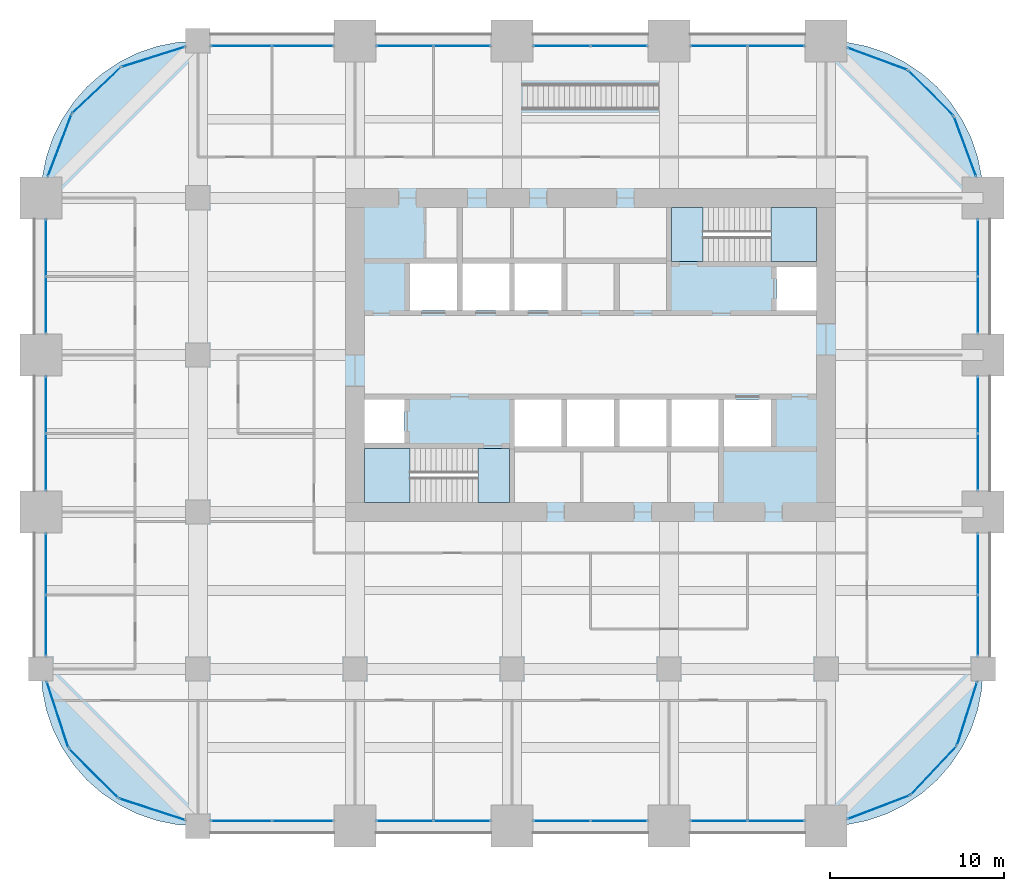
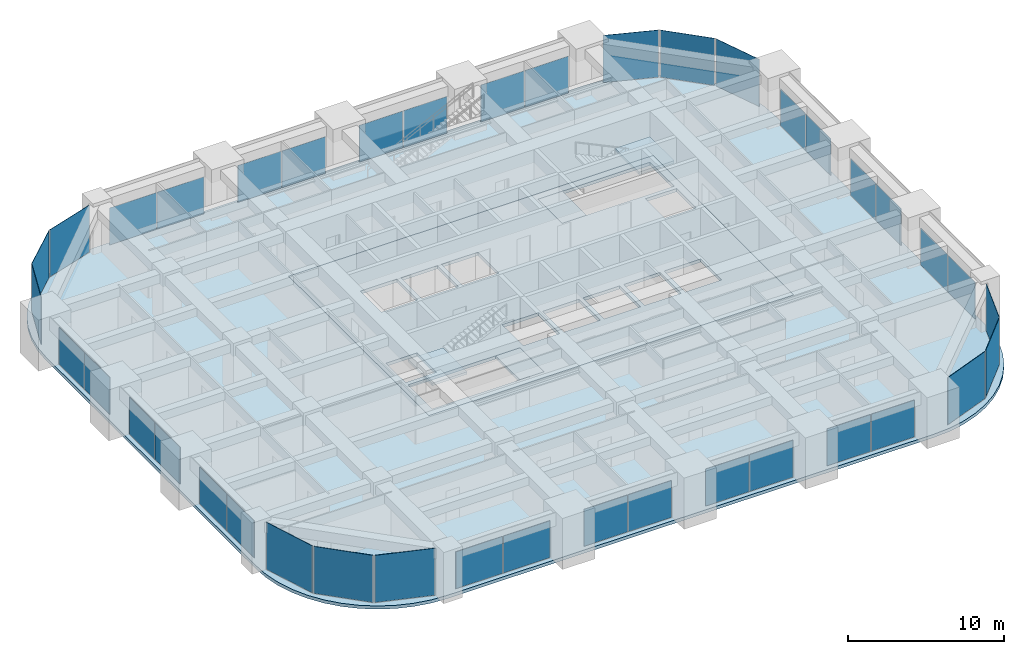
# One storey, part 28 of 34: 40 plates, 6 slabs, 28 elements without a shape of their own.
"""IFC4 building model written with IfcOpenShell, lengths in metres."""

from ifc_helpers import new_model, si_unit, direction, frame, origin, origin_2d, place, context, subcontext, project, spatial, polyline, rectangle, outline, extrude, material, layer, layer_set, type_object, element, aggregate, save


model = new_model("IFC4")

# Units and contexts
model_context = context("Model", 3, precision=1e-05, world=origin(), true_north=direction((0.0, 1.0)))
body_context = subcontext(model_context, "Body", "Model", "MODEL_VIEW")
ifc_project = project(units=[si_unit("LENGTHUNIT", "METRE"), si_unit("AREAUNIT", "SQUARE_METRE"), si_unit("VOLUMEUNIT", "CUBIC_METRE"), si_unit("PLANEANGLEUNIT", "RADIAN"), si_unit("MASSUNIT", "GRAM", prefix="KILO")], contexts=[model_context])

# Site, building, storey
site_placement = place(None, origin())
site = spatial("IfcSite", under=ifc_project, at=site_placement, CompositionType="ELEMENT")
building_placement = place(site_placement, origin())
building = spatial("IfcBuilding", under=site, at=building_placement, Name="Zorevar Civic Tower", CompositionType="ELEMENT")
storey_placement = place(building_placement, frame((0.0, 0.0, 214.199951171875)))
storey = spatial("IfcBuildingStorey", under=building, at=storey_placement, Name="L52", CompositionType="ELEMENT", Elevation=214.199951171875)

# Curtain wall, plates
ifc_material_1 = material(Name="Dark grey solar-control glass in black aluminium frame", Category="aluminium")
curtain_wall_type = type_object("IfcCurtainWallType", Name="Curtain wall CW4 high zone", PredefinedType="NOTDEFINED", material=ifc_material_1)
curtain_wall_1_placement = place(storey_placement, origin())
curtain_wall_1 = element("IfcCurtainWall", 1, at=curtain_wall_1_placement, inside=storey, type_object=curtain_wall_type, Name="CW4 L52", PredefinedType="NOTDEFINED")
ifc_material_2 = material(Name="Dark grey solar-control glass", Category="glass")
ifc_layer_1 = layer(ifc_material_2, 0.028076171875)
ifc_layer_set_1 = layer_set([ifc_layer_1], Name="CW4 panel 28")
plate_type = type_object("IfcPlateType", Name="CW4 panel 28", PredefinedType="CURTAIN_PANEL", material=ifc_layer_set_1)
plate_1_placement = place(storey_placement, frame((11.489990234375, 0.300048828125, 0.06005859375), z_axis=(0.0, 0.0, 1.0), x_axis=(1.0, 0.0, 0.0)))
plate_1 = element("IfcPlate", 2, at=plate_1_placement, type_object=plate_type, Name="CW4 panel 1.1", PredefinedType="CURTAIN_PANEL", context=body_context, shape_type="SweptSolid", body=[
    extrude(rectangle(XDim=3.4599609375, YDim=0.028076171875, at=origin_2d()), origin(), (0.0, 0.0, 1.0), 2.889892578125),
])
plate_2_placement = place(storey_placement, frame((15.010009765625, 0.300048828125, 0.06005859375), z_axis=(0.0, 0.0, 1.0), x_axis=(1.0, 0.0, 0.0)))
plate_2 = element("IfcPlate", 3, at=plate_2_placement, type_object=plate_type, Name="CW4 panel 2.1", PredefinedType="CURTAIN_PANEL", context=body_context, shape_type="SweptSolid", body=[
    extrude(rectangle(XDim=3.4599609375, YDim=0.028076171875, at=origin_2d()), origin(), (0.0, 0.0, 1.0), 2.889892578125),
])
aggregate(curtain_wall_1, [plate_1, plate_2])

curtain_wall_2_placement = place(storey_placement, origin())
curtain_wall_2 = element("IfcCurtainWall", 4, at=curtain_wall_2_placement, inside=storey, type_object=curtain_wall_type, Name="CW4 L52", PredefinedType="NOTDEFINED")
plate_3_placement = place(storey_placement, frame((11.489990234375, 44.699951171875, 0.06005859375), z_axis=(0.0, 0.0, 1.0), x_axis=(1.0, 0.0, 0.0)))
plate_3 = element("IfcPlate", 5, at=plate_3_placement, type_object=plate_type, Name="CW4 panel 1.1", PredefinedType="CURTAIN_PANEL", context=body_context, shape_type="SweptSolid", body=[
    extrude(rectangle(XDim=3.4599609375, YDim=0.028076171875, at=origin_2d()), origin(), (0.0, 0.0, 1.0), 2.889892578125),
])
plate_4_placement = place(storey_placement, frame((15.010009765625, 44.699951171875, 0.06005859375), z_axis=(0.0, 0.0, 1.0), x_axis=(1.0, 0.0, 0.0)))
plate_4 = element("IfcPlate", 6, at=plate_4_placement, type_object=plate_type, Name="CW4 panel 2.1", PredefinedType="CURTAIN_PANEL", context=body_context, shape_type="SweptSolid", body=[
    extrude(rectangle(XDim=3.4599609375, YDim=0.028076171875, at=origin_2d()), origin(), (0.0, 0.0, 1.0), 2.889892578125),
])
aggregate(curtain_wall_2, [plate_3, plate_4])

curtain_wall_3_placement = place(storey_placement, origin())
curtain_wall_3 = element("IfcCurtainWall", 7, at=curtain_wall_3_placement, inside=storey, type_object=curtain_wall_type, Name="CW4 L52", PredefinedType="NOTDEFINED")
plate_5_placement = place(storey_placement, frame((20.864990234375, 0.300048828125, 0.06005859375), z_axis=(0.0, 0.0, 1.0), x_axis=(1.0, 0.0, 0.0)))
plate_5 = element("IfcPlate", 8, at=plate_5_placement, type_object=plate_type, Name="CW4 panel 1.1", PredefinedType="CURTAIN_PANEL", context=body_context, shape_type="SweptSolid", body=[
    extrude(rectangle(XDim=3.2099609375, YDim=0.028076171875, at=origin_2d()), origin(), (0.0, 0.0, 1.0), 2.889892578125),
])
plate_6_placement = place(storey_placement, frame((24.135009765625, 0.300048828125, 0.06005859375), z_axis=(0.0, 0.0, 1.0), x_axis=(1.0, 0.0, 0.0)))
plate_6 = element("IfcPlate", 9, at=plate_6_placement, type_object=plate_type, Name="CW4 panel 2.1", PredefinedType="CURTAIN_PANEL", context=body_context, shape_type="SweptSolid", body=[
    extrude(rectangle(XDim=3.2099609375, YDim=0.028076171875, at=origin_2d()), origin(), (0.0, 0.0, 1.0), 2.889892578125),
])
aggregate(curtain_wall_3, [plate_5, plate_6])

curtain_wall_4_placement = place(storey_placement, origin())
curtain_wall_4 = element("IfcCurtainWall", 10, at=curtain_wall_4_placement, inside=storey, type_object=curtain_wall_type, Name="CW4 L52", PredefinedType="NOTDEFINED")
plate_7_placement = place(storey_placement, frame((20.864990234375, 44.699951171875, 0.06005859375), z_axis=(0.0, 0.0, 1.0), x_axis=(1.0, 0.0, 0.0)))
plate_7 = element("IfcPlate", 11, at=plate_7_placement, type_object=plate_type, Name="CW4 panel 1.1", PredefinedType="CURTAIN_PANEL", context=body_context, shape_type="SweptSolid", body=[
    extrude(rectangle(XDim=3.2099609375, YDim=0.028076171875, at=origin_2d()), origin(), (0.0, 0.0, 1.0), 2.889892578125),
])
plate_8_placement = place(storey_placement, frame((24.135009765625, 44.699951171875, 0.06005859375), z_axis=(0.0, 0.0, 1.0), x_axis=(1.0, 0.0, 0.0)))
plate_8 = element("IfcPlate", 12, at=plate_8_placement, type_object=plate_type, Name="CW4 panel 2.1", PredefinedType="CURTAIN_PANEL", context=body_context, shape_type="SweptSolid", body=[
    extrude(rectangle(XDim=3.2099609375, YDim=0.028076171875, at=origin_2d()), origin(), (0.0, 0.0, 1.0), 2.889892578125),
])
aggregate(curtain_wall_4, [plate_7, plate_8])

curtain_wall_5_placement = place(storey_placement, origin())
curtain_wall_5 = element("IfcCurtainWall", 13, at=curtain_wall_5_placement, inside=storey, type_object=curtain_wall_type, Name="CW4 L52", PredefinedType="NOTDEFINED")
plate_9_placement = place(storey_placement, frame((29.864990234375, 0.300048828125, 0.06005859375), z_axis=(0.0, 0.0, 1.0), x_axis=(1.0, 0.0, 0.0)))
plate_9 = element("IfcPlate", 14, at=plate_9_placement, type_object=plate_type, Name="CW4 panel 1.1", PredefinedType="CURTAIN_PANEL", context=body_context, shape_type="SweptSolid", body=[
    extrude(rectangle(XDim=3.2099609375, YDim=0.028076171875, at=origin_2d()), origin(), (0.0, 0.0, 1.0), 2.889892578125),
])
plate_10_placement = place(storey_placement, frame((33.135009765625, 0.300048828125, 0.06005859375), z_axis=(0.0, 0.0, 1.0), x_axis=(1.0, 0.0, 0.0)))
plate_10 = element("IfcPlate", 15, at=plate_10_placement, type_object=plate_type, Name="CW4 panel 2.1", PredefinedType="CURTAIN_PANEL", context=body_context, shape_type="SweptSolid", body=[
    extrude(rectangle(XDim=3.2099609375, YDim=0.028076171875, at=origin_2d()), origin(), (0.0, 0.0, 1.0), 2.889892578125),
])
aggregate(curtain_wall_5, [plate_9, plate_10])

curtain_wall_6_placement = place(storey_placement, origin())
curtain_wall_6 = element("IfcCurtainWall", 16, at=curtain_wall_6_placement, inside=storey, type_object=curtain_wall_type, Name="CW4 L52", PredefinedType="NOTDEFINED")
plate_11_placement = place(storey_placement, frame((29.864990234375, 44.699951171875, 0.06005859375), z_axis=(0.0, 0.0, 1.0), x_axis=(1.0, 0.0, 0.0)))
plate_11 = element("IfcPlate", 17, at=plate_11_placement, type_object=plate_type, Name="CW4 panel 1.1", PredefinedType="CURTAIN_PANEL", context=body_context, shape_type="SweptSolid", body=[
    extrude(rectangle(XDim=3.2099609375, YDim=0.028076171875, at=origin_2d()), origin(), (0.0, 0.0, 1.0), 2.889892578125),
])
plate_12_placement = place(storey_placement, frame((33.135009765625, 44.699951171875, 0.06005859375), z_axis=(0.0, 0.0, 1.0), x_axis=(1.0, 0.0, 0.0)))
plate_12 = element("IfcPlate", 18, at=plate_12_placement, type_object=plate_type, Name="CW4 panel 2.1", PredefinedType="CURTAIN_PANEL", context=body_context, shape_type="SweptSolid", body=[
    extrude(rectangle(XDim=3.2099609375, YDim=0.028076171875, at=origin_2d()), origin(), (0.0, 0.0, 1.0), 2.889892578125),
])
aggregate(curtain_wall_6, [plate_11, plate_12])

curtain_wall_7_placement = place(storey_placement, origin())
curtain_wall_7 = element("IfcCurtainWall", 19, at=curtain_wall_7_placement, inside=storey, type_object=curtain_wall_type, Name="CW4 L52", PredefinedType="NOTDEFINED")
plate_13_placement = place(storey_placement, frame((38.864990234375, 0.300048828125, 0.06005859375), z_axis=(0.0, 0.0, 1.0), x_axis=(1.0, 0.0, 0.0)))
plate_13 = element("IfcPlate", 20, at=plate_13_placement, type_object=plate_type, Name="CW4 panel 1.1", PredefinedType="CURTAIN_PANEL", context=body_context, shape_type="SweptSolid", body=[
    extrude(rectangle(XDim=3.2099609375, YDim=0.028076171875, at=origin_2d()), origin(), (0.0, 0.0, 1.0), 2.889892578125),
])
plate_14_placement = place(storey_placement, frame((42.135009765625, 0.300048828125, 0.06005859375), z_axis=(0.0, 0.0, 1.0), x_axis=(1.0, 0.0, 0.0)))
plate_14 = element("IfcPlate", 21, at=plate_14_placement, type_object=plate_type, Name="CW4 panel 2.1", PredefinedType="CURTAIN_PANEL", context=body_context, shape_type="SweptSolid", body=[
    extrude(rectangle(XDim=3.2099609375, YDim=0.028076171875, at=origin_2d()), origin(), (0.0, 0.0, 1.0), 2.889892578125),
])
aggregate(curtain_wall_7, [plate_13, plate_14])

curtain_wall_8_placement = place(storey_placement, origin())
curtain_wall_8 = element("IfcCurtainWall", 22, at=curtain_wall_8_placement, inside=storey, type_object=curtain_wall_type, Name="CW4 L52", PredefinedType="NOTDEFINED")
plate_15_placement = place(storey_placement, frame((38.864990234375, 44.699951171875, 0.06005859375), z_axis=(0.0, 0.0, 1.0), x_axis=(1.0, 0.0, 0.0)))
plate_15 = element("IfcPlate", 23, at=plate_15_placement, type_object=plate_type, Name="CW4 panel 1.1", PredefinedType="CURTAIN_PANEL", context=body_context, shape_type="SweptSolid", body=[
    extrude(rectangle(XDim=3.2099609375, YDim=0.028076171875, at=origin_2d()), origin(), (0.0, 0.0, 1.0), 2.889892578125),
])
plate_16_placement = place(storey_placement, frame((42.135009765625, 44.699951171875, 0.06005859375), z_axis=(0.0, 0.0, 1.0), x_axis=(1.0, 0.0, 0.0)))
plate_16 = element("IfcPlate", 24, at=plate_16_placement, type_object=plate_type, Name="CW4 panel 2.1", PredefinedType="CURTAIN_PANEL", context=body_context, shape_type="SweptSolid", body=[
    extrude(rectangle(XDim=3.2099609375, YDim=0.028076171875, at=origin_2d()), origin(), (0.0, 0.0, 1.0), 2.889892578125),
])
aggregate(curtain_wall_8, [plate_15, plate_16])

curtain_wall_9_placement = place(storey_placement, origin())
curtain_wall_9 = element("IfcCurtainWall", 25, at=curtain_wall_9_placement, inside=storey, type_object=curtain_wall_type, Name="CW4 L52", PredefinedType="NOTDEFINED")
plate_17_placement = place(storey_placement, frame((0.300048828125, 11.489990234375, 0.06005859375), z_axis=(0.0, 0.0, 1.0), x_axis=(0.0, 1.0, 0.0)))
plate_17 = element("IfcPlate", 26, at=plate_17_placement, type_object=plate_type, Name="CW4 panel 1.1", PredefinedType="CURTAIN_PANEL", context=body_context, shape_type="SweptSolid", body=[
    extrude(rectangle(XDim=3.4599609375, YDim=0.028076171875, at=origin_2d()), origin(), (0.0, 0.0, 1.0), 2.889892578125),
])
plate_18_placement = place(storey_placement, frame((0.300048828125, 15.010009765625, 0.06005859375), z_axis=(0.0, 0.0, 1.0), x_axis=(0.0, 1.0, 0.0)))
plate_18 = element("IfcPlate", 27, at=plate_18_placement, type_object=plate_type, Name="CW4 panel 2.1", PredefinedType="CURTAIN_PANEL", context=body_context, shape_type="SweptSolid", body=[
    extrude(rectangle(XDim=3.4599609375, YDim=0.028076171875, at=origin_2d()), origin(), (0.0, 0.0, 1.0), 2.889892578125),
])
aggregate(curtain_wall_9, [plate_17, plate_18])

curtain_wall_10_placement = place(storey_placement, origin())
curtain_wall_10 = element("IfcCurtainWall", 28, at=curtain_wall_10_placement, inside=storey, type_object=curtain_wall_type, Name="CW4 L52", PredefinedType="NOTDEFINED")
plate_19_placement = place(storey_placement, frame((53.699951171875, 11.489990234375, 0.06005859375), z_axis=(0.0, 0.0, 1.0), x_axis=(0.0, 1.0, 0.0)))
plate_19 = element("IfcPlate", 29, at=plate_19_placement, type_object=plate_type, Name="CW4 panel 1.1", PredefinedType="CURTAIN_PANEL", context=body_context, shape_type="SweptSolid", body=[
    extrude(rectangle(XDim=3.4599609375, YDim=0.028076171875, at=origin_2d()), origin(), (0.0, 0.0, 1.0), 2.889892578125),
])
plate_20_placement = place(storey_placement, frame((53.699951171875, 15.010009765625, 0.06005859375), z_axis=(0.0, 0.0, 1.0), x_axis=(0.0, 1.0, 0.0)))
plate_20 = element("IfcPlate", 30, at=plate_20_placement, type_object=plate_type, Name="CW4 panel 2.1", PredefinedType="CURTAIN_PANEL", context=body_context, shape_type="SweptSolid", body=[
    extrude(rectangle(XDim=3.4599609375, YDim=0.028076171875, at=origin_2d()), origin(), (0.0, 0.0, 1.0), 2.889892578125),
])
aggregate(curtain_wall_10, [plate_19, plate_20])

curtain_wall_11_placement = place(storey_placement, origin())
curtain_wall_11 = element("IfcCurtainWall", 31, at=curtain_wall_11_placement, inside=storey, type_object=curtain_wall_type, Name="CW4 L52", PredefinedType="NOTDEFINED")
plate_21_placement = place(storey_placement, frame((0.300048828125, 20.864990234375, 0.06005859375), z_axis=(0.0, 0.0, 1.0), x_axis=(0.0, 1.0, 0.0)))
plate_21 = element("IfcPlate", 32, at=plate_21_placement, type_object=plate_type, Name="CW4 panel 1.1", PredefinedType="CURTAIN_PANEL", context=body_context, shape_type="SweptSolid", body=[
    extrude(rectangle(XDim=3.2099609375, YDim=0.028076171875, at=origin_2d()), origin(), (0.0, 0.0, 1.0), 2.889892578125),
])
plate_22_placement = place(storey_placement, frame((0.300048828125, 24.135009765625, 0.06005859375), z_axis=(0.0, 0.0, 1.0), x_axis=(0.0, 1.0, 0.0)))
plate_22 = element("IfcPlate", 33, at=plate_22_placement, type_object=plate_type, Name="CW4 panel 2.1", PredefinedType="CURTAIN_PANEL", context=body_context, shape_type="SweptSolid", body=[
    extrude(rectangle(XDim=3.2099609375, YDim=0.028076171875, at=origin_2d()), origin(), (0.0, 0.0, 1.0), 2.889892578125),
])
aggregate(curtain_wall_11, [plate_21, plate_22])

curtain_wall_12_placement = place(storey_placement, origin())
curtain_wall_12 = element("IfcCurtainWall", 34, at=curtain_wall_12_placement, inside=storey, type_object=curtain_wall_type, Name="CW4 L52", PredefinedType="NOTDEFINED")
plate_23_placement = place(storey_placement, frame((53.699951171875, 20.864990234375, 0.06005859375), z_axis=(0.0, 0.0, 1.0), x_axis=(0.0, 1.0, 0.0)))
plate_23 = element("IfcPlate", 35, at=plate_23_placement, type_object=plate_type, Name="CW4 panel 1.1", PredefinedType="CURTAIN_PANEL", context=body_context, shape_type="SweptSolid", body=[
    extrude(rectangle(XDim=3.2099609375, YDim=0.028076171875, at=origin_2d()), origin(), (0.0, 0.0, 1.0), 2.889892578125),
])
plate_24_placement = place(storey_placement, frame((53.699951171875, 24.135009765625, 0.06005859375), z_axis=(0.0, 0.0, 1.0), x_axis=(0.0, 1.0, 0.0)))
plate_24 = element("IfcPlate", 36, at=plate_24_placement, type_object=plate_type, Name="CW4 panel 2.1", PredefinedType="CURTAIN_PANEL", context=body_context, shape_type="SweptSolid", body=[
    extrude(rectangle(XDim=3.2099609375, YDim=0.028076171875, at=origin_2d()), origin(), (0.0, 0.0, 1.0), 2.889892578125),
])
aggregate(curtain_wall_12, [plate_23, plate_24])

curtain_wall_13_placement = place(storey_placement, origin())
curtain_wall_13 = element("IfcCurtainWall", 37, at=curtain_wall_13_placement, inside=storey, type_object=curtain_wall_type, Name="CW4 L52", PredefinedType="NOTDEFINED")
plate_25_placement = place(storey_placement, frame((0.300048828125, 29.864990234375, 0.06005859375), z_axis=(0.0, 0.0, 1.0), x_axis=(0.0, 1.0, 0.0)))
plate_25 = element("IfcPlate", 38, at=plate_25_placement, type_object=plate_type, Name="CW4 panel 1.1", PredefinedType="CURTAIN_PANEL", context=body_context, shape_type="SweptSolid", body=[
    extrude(rectangle(XDim=3.2099609375, YDim=0.028076171875, at=origin_2d()), origin(), (0.0, 0.0, 1.0), 2.889892578125),
])
plate_26_placement = place(storey_placement, frame((0.300048828125, 33.135009765625, 0.06005859375), z_axis=(0.0, 0.0, 1.0), x_axis=(0.0, 1.0, 0.0)))
plate_26 = element("IfcPlate", 39, at=plate_26_placement, type_object=plate_type, Name="CW4 panel 2.1", PredefinedType="CURTAIN_PANEL", context=body_context, shape_type="SweptSolid", body=[
    extrude(rectangle(XDim=3.2099609375, YDim=0.028076171875, at=origin_2d()), origin(), (0.0, 0.0, 1.0), 2.889892578125),
])
aggregate(curtain_wall_13, [plate_25, plate_26])

curtain_wall_14_placement = place(storey_placement, origin())
curtain_wall_14 = element("IfcCurtainWall", 40, at=curtain_wall_14_placement, inside=storey, type_object=curtain_wall_type, Name="CW4 L52", PredefinedType="NOTDEFINED")
plate_27_placement = place(storey_placement, frame((53.699951171875, 29.864990234375, 0.06005859375), z_axis=(0.0, 0.0, 1.0), x_axis=(0.0, 1.0, 0.0)))
plate_27 = element("IfcPlate", 41, at=plate_27_placement, type_object=plate_type, Name="CW4 panel 1.1", PredefinedType="CURTAIN_PANEL", context=body_context, shape_type="SweptSolid", body=[
    extrude(rectangle(XDim=3.2099609375, YDim=0.028076171875, at=origin_2d()), origin(), (0.0, 0.0, 1.0), 2.889892578125),
])
plate_28_placement = place(storey_placement, frame((53.699951171875, 33.135009765625, 0.06005859375), z_axis=(0.0, 0.0, 1.0), x_axis=(0.0, 1.0, 0.0)))
plate_28 = element("IfcPlate", 42, at=plate_28_placement, type_object=plate_type, Name="CW4 panel 2.1", PredefinedType="CURTAIN_PANEL", context=body_context, shape_type="SweptSolid", body=[
    extrude(rectangle(XDim=3.2099609375, YDim=0.028076171875, at=origin_2d()), origin(), (0.0, 0.0, 1.0), 2.889892578125),
])
aggregate(curtain_wall_14, [plate_27, plate_28])

# Curtain wall, plate
curtain_wall_15_placement = place(storey_placement, origin())
curtain_wall_15 = element("IfcCurtainWall", 43, at=curtain_wall_15_placement, inside=storey, type_object=curtain_wall_type, Name="CW4 L52", PredefinedType="NOTDEFINED")
plate_29_placement = place(storey_placement, frame((48.0166015625, 1.07470703125, 0.06005859375), z_axis=(0.0, 0.0, 1.0), x_axis=(0.93458842801, 0.355730895803, 0.0)))
plate_29 = element("IfcPlate", 44, at=plate_29_placement, type_object=plate_type, Name="CW4 panel 1.1", PredefinedType="CURTAIN_PANEL", context=body_context, shape_type="SweptSolid", body=[
    extrude(rectangle(XDim=3.767333984375, YDim=0.028076171875, at=origin_2d()), origin(), (0.0, 0.0, 1.0), 3.68994140625),
])
aggregate(curtain_wall_15, [plate_29])

curtain_wall_16_placement = place(storey_placement, origin())
curtain_wall_16 = element("IfcCurtainWall", 45, at=curtain_wall_16_placement, inside=storey, type_object=curtain_wall_type, Name="CW4 L52", PredefinedType="NOTDEFINED")
plate_30_placement = place(storey_placement, frame((51.167236328125, 3.179443359375, 0.06005859375), z_axis=(0.0, 0.0, 1.0), x_axis=(0.686377907265, 0.727245053898, 0.0)))
plate_30 = element("IfcPlate", 46, at=plate_30_placement, type_object=plate_type, Name="CW4 panel 1.1", PredefinedType="CURTAIN_PANEL", context=body_context, shape_type="SweptSolid", body=[
    extrude(rectangle(XDim=3.767333984375, YDim=0.028076171875, at=origin_2d()), origin(), (0.0, 0.0, 1.0), 3.68994140625),
])
aggregate(curtain_wall_16, [plate_30])

curtain_wall_17_placement = place(storey_placement, origin())
curtain_wall_17 = element("IfcCurtainWall", 47, at=curtain_wall_17_placement, inside=storey, type_object=curtain_wall_type, Name="CW4 L52", PredefinedType="NOTDEFINED")
plate_31_placement = place(storey_placement, frame((53.08642578125, 6.446533203125, 0.06005859375), z_axis=(0.0, 0.0, 1.0), x_axis=(0.301108296077, 0.953589950678, 0.0)))
plate_31 = element("IfcPlate", 48, at=plate_31_placement, type_object=plate_type, Name="CW4 panel 1.1", PredefinedType="CURTAIN_PANEL", context=body_context, shape_type="SweptSolid", body=[
    extrude(rectangle(XDim=3.767333984375, YDim=0.028076171875, at=origin_2d()), origin(), (0.0, 0.0, 1.0), 3.68994140625),
])
aggregate(curtain_wall_17, [plate_31])

curtain_wall_18_placement = place(storey_placement, origin())
curtain_wall_18 = element("IfcCurtainWall", 49, at=curtain_wall_18_placement, inside=storey, type_object=curtain_wall_type, Name="CW4 L52", PredefinedType="NOTDEFINED")
plate_32_placement = place(storey_placement, frame((52.97119140625, 38.9462890625, 0.06005859375), z_axis=(0.0, 0.0, 1.0), x_axis=(-0.346704012033, 0.937974588163, 0.0)))
plate_32 = element("IfcPlate", 50, at=plate_32_placement, type_object=plate_type, Name="CW4 panel 1.1", PredefinedType="CURTAIN_PANEL", context=body_context, shape_type="SweptSolid", body=[
    extrude(rectangle(XDim=3.603759765625, YDim=0.028076171875, at=origin_2d()), origin(), (0.0, 0.0, 1.0), 3.68994140625),
])
aggregate(curtain_wall_18, [plate_32])

curtain_wall_19_placement = place(storey_placement, origin())
curtain_wall_19 = element("IfcCurtainWall", 51, at=curtain_wall_19_placement, inside=storey, type_object=curtain_wall_type, Name="CW4 L52", PredefinedType="NOTDEFINED")
plate_33_placement = place(storey_placement, frame((51.00927734375, 42.00927734375, 0.06005859375), z_axis=(0.0, 0.0, 1.0), x_axis=(-0.707106781187, 0.707106781187, 0.0)))
plate_33 = element("IfcPlate", 52, at=plate_33_placement, type_object=plate_type, Name="CW4 panel 1.1", PredefinedType="CURTAIN_PANEL", context=body_context, shape_type="SweptSolid", body=[
    extrude(rectangle(XDim=3.603759765625, YDim=0.028076171875, at=origin_2d()), origin(), (0.0, 0.0, 1.0), 3.68994140625),
])
aggregate(curtain_wall_19, [plate_33])

curtain_wall_20_placement = place(storey_placement, origin())
curtain_wall_20 = element("IfcCurtainWall", 53, at=curtain_wall_20_placement, inside=storey, type_object=curtain_wall_type, Name="CW4 L52", PredefinedType="NOTDEFINED")
plate_34_placement = place(storey_placement, frame((47.9462890625, 43.97119140625, 0.06005859375), z_axis=(0.0, 0.0, 1.0), x_axis=(-0.937974588163, 0.346704012033, 0.0)))
plate_34 = element("IfcPlate", 54, at=plate_34_placement, type_object=plate_type, Name="CW4 panel 1.1", PredefinedType="CURTAIN_PANEL", context=body_context, shape_type="SweptSolid", body=[
    extrude(rectangle(XDim=3.603759765625, YDim=0.028076171875, at=origin_2d()), origin(), (0.0, 0.0, 1.0), 3.68994140625),
])
aggregate(curtain_wall_20, [plate_34])

curtain_wall_21_placement = place(storey_placement, origin())
curtain_wall_21 = element("IfcCurtainWall", 55, at=curtain_wall_21_placement, inside=storey, type_object=curtain_wall_type, Name="CW4 L52", PredefinedType="NOTDEFINED")
plate_35_placement = place(storey_placement, frame((6.446533203125, 44.08642578125, 0.06005859375), z_axis=(0.0, 0.0, 1.0), x_axis=(-0.953589950678, -0.301108296077, 0.0)))
plate_35 = element("IfcPlate", 56, at=plate_35_placement, type_object=plate_type, Name="CW4 panel 1.1", PredefinedType="CURTAIN_PANEL", context=body_context, shape_type="SweptSolid", body=[
    extrude(rectangle(XDim=3.767333984375, YDim=0.028076171875, at=origin_2d()), origin(), (0.0, 0.0, 1.0), 3.68994140625),
])
aggregate(curtain_wall_21, [plate_35])

curtain_wall_22_placement = place(storey_placement, origin())
curtain_wall_22 = element("IfcCurtainWall", 57, at=curtain_wall_22_placement, inside=storey, type_object=curtain_wall_type, Name="CW4 L52", PredefinedType="NOTDEFINED")
plate_36_placement = place(storey_placement, frame((3.179443359375, 42.167236328125, 0.06005859375), z_axis=(0.0, 0.0, 1.0), x_axis=(-0.727245053898, -0.686377907265, 0.0)))
plate_36 = element("IfcPlate", 58, at=plate_36_placement, type_object=plate_type, Name="CW4 panel 1.1", PredefinedType="CURTAIN_PANEL", context=body_context, shape_type="SweptSolid", body=[
    extrude(rectangle(XDim=3.767333984375, YDim=0.028076171875, at=origin_2d()), origin(), (0.0, 0.0, 1.0), 3.68994140625),
])
aggregate(curtain_wall_22, [plate_36])

curtain_wall_23_placement = place(storey_placement, origin())
curtain_wall_23 = element("IfcCurtainWall", 59, at=curtain_wall_23_placement, inside=storey, type_object=curtain_wall_type, Name="CW4 L52", PredefinedType="NOTDEFINED")
plate_37_placement = place(storey_placement, frame((1.07470703125, 39.0166015625, 0.06005859375), z_axis=(0.0, 0.0, 1.0), x_axis=(-0.355730895803, -0.93458842801, 0.0)))
plate_37 = element("IfcPlate", 60, at=plate_37_placement, type_object=plate_type, Name="CW4 panel 1.1", PredefinedType="CURTAIN_PANEL", context=body_context, shape_type="SweptSolid", body=[
    extrude(rectangle(XDim=3.767333984375, YDim=0.028076171875, at=origin_2d()), origin(), (0.0, 0.0, 1.0), 3.68994140625),
])
aggregate(curtain_wall_23, [plate_37])

curtain_wall_24_placement = place(storey_placement, origin())
curtain_wall_24 = element("IfcCurtainWall", 61, at=curtain_wall_24_placement, inside=storey, type_object=curtain_wall_type, Name="CW4 L52", PredefinedType="NOTDEFINED")
plate_38_placement = place(storey_placement, frame((0.956787109375, 6.374755859375, 0.06005859375), z_axis=(0.0, 0.0, 1.0), x_axis=(0.310281419775, -0.950644749916, 0.0)))
plate_38 = element("IfcPlate", 62, at=plate_38_placement, type_object=plate_type, Name="CW4 panel 1.1", PredefinedType="CURTAIN_PANEL", context=body_context, shape_type="SweptSolid", body=[
    extrude(rectangle(XDim=3.9306640625, YDim=0.028076171875, at=origin_2d()), origin(), (0.0, 0.0, 1.0), 3.68994140625),
])
aggregate(curtain_wall_24, [plate_38])

curtain_wall_25_placement = place(storey_placement, origin())
curtain_wall_25 = element("IfcCurtainWall", 63, at=curtain_wall_25_placement, inside=storey, type_object=curtain_wall_type, Name="CW4 L52", PredefinedType="NOTDEFINED")
plate_39_placement = place(storey_placement, frame((3.01708984375, 3.01708984375, 0.06005859375), z_axis=(0.0, 0.0, 1.0), x_axis=(0.707106781187, -0.707106781187, 0.0)))
plate_39 = element("IfcPlate", 64, at=plate_39_placement, type_object=plate_type, Name="CW4 panel 1.1", PredefinedType="CURTAIN_PANEL", context=body_context, shape_type="SweptSolid", body=[
    extrude(rectangle(XDim=3.9306640625, YDim=0.028076171875, at=origin_2d()), origin(), (0.0, 0.0, 1.0), 3.68994140625),
])
aggregate(curtain_wall_25, [plate_39])

curtain_wall_26_placement = place(storey_placement, origin())
curtain_wall_26 = element("IfcCurtainWall", 65, at=curtain_wall_26_placement, inside=storey, type_object=curtain_wall_type, Name="CW4 L52", PredefinedType="NOTDEFINED")
plate_40_placement = place(storey_placement, frame((6.374755859375, 0.956787109375, 0.06005859375), z_axis=(0.0, 0.0, 1.0), x_axis=(0.950644749916, -0.310281419775, 0.0)))
plate_40 = element("IfcPlate", 66, at=plate_40_placement, type_object=plate_type, Name="CW4 panel 1.1", PredefinedType="CURTAIN_PANEL", context=body_context, shape_type="SweptSolid", body=[
    extrude(rectangle(XDim=3.9306640625, YDim=0.028076171875, at=origin_2d()), origin(), (0.0, 0.0, 1.0), 3.68994140625),
])
aggregate(curtain_wall_26, [plate_40])

# Slabs
ifc_material_3 = material(Name="Concrete C40/50", Category="concrete")
ifc_layer_2 = layer(ifc_material_3, 0.25)
ifc_layer_set_2 = layer_set([ifc_layer_2], Name="Floor slab 250")
slab_type_1 = type_object("IfcSlabType", Name="Floor slab 250", PredefinedType="FLOOR", material=ifc_layer_set_2)
slab_1_placement = place(storey_placement, frame((0.0, 0.0, -0.25)))
element("IfcSlab", 67, at=slab_1_placement, inside=storey, type_object=slab_type_1, Name="Floor slab L52", PredefinedType="FLOOR", context=body_context, shape_type="SweptSolid", body=[
    extrude(outline(polyline([(45.0, 0.0), (46.1748046875, 0.076904296875), (47.329345703125, 0.306640625), (48.444091796875, 0.68505859375), (49.5, 1.205810546875), (50.478759765625, 1.85986328125), (51.364013671875, 2.635986328125), (52.14013671875, 3.521240234375), (52.794189453125, 4.5), (53.31494140625, 5.555908203125), (53.693359375, 6.670654296875), (53.923095703125, 7.8251953125), (54.0, 9.0), (54.0, 36.0), (53.923095703125, 37.1748046875), (53.693359375, 38.329345703125), (53.31494140625, 39.444091796875), (52.794189453125, 40.5), (52.14013671875, 41.478759765625), (51.364013671875, 42.364013671875), (50.478759765625, 43.14013671875), (49.5, 43.794189453125), (48.444091796875, 44.31494140625), (47.329345703125, 44.693359375), (46.1748046875, 44.923095703125), (45.0, 45.0), (9.0, 45.0), (7.8251953125, 44.923095703125), (6.670654296875, 44.693359375), (5.555908203125, 44.31494140625), (4.5, 43.794189453125), (3.521240234375, 43.14013671875), (2.635986328125, 42.364013671875), (1.85986328125, 41.478759765625), (1.205810546875, 40.5), (0.68505859375, 39.444091796875), (0.306640625, 38.329345703125), (0.076904296875, 37.1748046875), (0.0, 36.0), (0.0, 9.0), (0.076904296875, 7.8251953125), (0.306640625, 6.670654296875), (0.68505859375, 5.555908203125), (1.205810546875, 4.5), (1.85986328125, 3.521240234375), (2.635986328125, 2.635986328125), (3.521240234375, 1.85986328125), (4.5, 1.205810546875), (5.555908203125, 0.68505859375), (6.670654296875, 0.306640625), (7.8251953125, 0.076904296875), (9.0, 0.0), (45.0, 0.0)]), holes=[polyline([(18.0, 18.0), (45.0, 18.0), (45.0, 36.0), (18.0, 36.0), (18.0, 18.0)])]), origin(), (0.0, 0.0, 1.0), 0.25),
])
slab_2_placement = place(storey_placement, frame((0.0, 0.0, -0.25)))
element("IfcSlab", 68, at=slab_2_placement, inside=storey, type_object=slab_type_1, Name="Core floor L52", PredefinedType="FLOOR", context=body_context, shape_type="SweptSolid", body=[
    extrude(outline(polyline([(18.0, 18.0), (45.0, 18.0), (45.0, 36.0), (18.0, 36.0), (18.0, 18.0)]), holes=[polyline([(18.550048828125, 18.550048828125), (26.85009765625, 18.550048828125), (26.85009765625, 21.64990234375), (18.550048828125, 21.64990234375), (18.550048828125, 18.550048828125)]), polyline([(36.14990234375, 32.35009765625), (44.449951171875, 32.35009765625), (44.449951171875, 35.449951171875), (36.14990234375, 35.449951171875), (36.14990234375, 32.35009765625)]), polyline([(18.550048828125, 21.949951171875), (20.85009765625, 21.949951171875), (20.85009765625, 24.449951171875), (18.550048828125, 24.449951171875), (18.550048828125, 21.949951171875)]), polyline([(42.14990234375, 29.550048828125), (44.449951171875, 29.550048828125), (44.449951171875, 32.050048828125), (42.14990234375, 32.050048828125), (42.14990234375, 29.550048828125)]), polyline([(27.14990234375, 21.75), (29.85009765625, 21.75), (29.85009765625, 24.449951171875), (27.14990234375, 24.449951171875), (27.14990234375, 21.75)]), polyline([(30.14990234375, 21.75), (32.85009765625, 21.75), (32.85009765625, 24.449951171875), (30.14990234375, 24.449951171875), (30.14990234375, 21.75)]), polyline([(33.14990234375, 21.75), (35.85009765625, 21.75), (35.85009765625, 24.449951171875), (33.14990234375, 24.449951171875), (33.14990234375, 21.75)]), polyline([(27.14990234375, 29.550048828125), (29.85009765625, 29.550048828125), (29.85009765625, 32.25), (27.14990234375, 32.25), (27.14990234375, 29.550048828125)]), polyline([(36.14990234375, 21.75), (38.85009765625, 21.75), (38.85009765625, 24.449951171875), (36.14990234375, 24.449951171875), (36.14990234375, 21.75)]), polyline([(24.14990234375, 29.550048828125), (26.85009765625, 29.550048828125), (26.85009765625, 32.25), (24.14990234375, 32.25), (24.14990234375, 29.550048828125)]), polyline([(39.14990234375, 21.75), (41.85009765625, 21.75), (41.85009765625, 24.449951171875), (39.14990234375, 24.449951171875), (39.14990234375, 21.75)]), polyline([(21.14990234375, 29.550048828125), (23.85009765625, 29.550048828125), (23.85009765625, 32.25), (21.14990234375, 32.25), (21.14990234375, 29.550048828125)])]), origin(), (0.0, 0.0, 1.0), 0.25),
])

# Stair, slabs
ifc_material_4 = material(Name="Precast concrete C40/50", Category="concrete")
stair_type = type_object("IfcStairType", Name="Stair ST 28R", PredefinedType="HALF_TURN_STAIR", material=ifc_material_4)
stair_1_placement = place(storey_placement, origin())
stair_1 = element("IfcStair", 69, at=stair_1_placement, inside=storey, type_object=stair_type, Name="Stair ST1 L52", PredefinedType="HALF_TURN_STAIR")
ifc_material_5 = material(Name="Concrete C40/50", Category="concrete")
ifc_layer_3 = layer(ifc_material_5, 0.199951171875)
ifc_layer_set_3 = layer_set([ifc_layer_3], Name="Stair landing 200")
slab_type_2 = type_object("IfcSlabType", Name="Stair landing 200", PredefinedType="LANDING", material=ifc_layer_set_3)
slab_3_placement = place(storey_placement, frame((0.0, 0.0, -0.199951171875)))
slab_3 = element("IfcSlab", 70, at=slab_3_placement, type_object=slab_type_2, Name="ST1 landing 1", PredefinedType="LANDING", context=body_context, shape_type="SweptSolid", body=[
    extrude(outline(polyline([(25.050048828125, 18.550048828125), (26.85009765625, 18.550048828125), (26.85009765625, 21.64990234375), (25.050048828125, 21.64990234375), (25.050048828125, 18.550048828125)])), origin(), (0.0, 0.0, 1.0), 0.199951171875),
])
slab_4_placement = place(storey_placement, frame((0.0, 0.0, 1.800048828125)))
slab_4 = element("IfcSlab", 71, at=slab_4_placement, type_object=slab_type_2, Name="ST1 landing 2", PredefinedType="LANDING", context=body_context, shape_type="SweptSolid", body=[
    extrude(outline(polyline([(18.550048828125, 18.550048828125), (21.14990234375, 18.550048828125), (21.14990234375, 21.64990234375), (18.550048828125, 21.64990234375), (18.550048828125, 18.550048828125)])), origin(), (0.0, 0.0, 1.0), 0.199951171875),
])
aggregate(stair_1, [slab_3, slab_4])

stair_2_placement = place(storey_placement, origin())
stair_2 = element("IfcStair", 72, at=stair_2_placement, inside=storey, type_object=stair_type, Name="Stair ST2 L52", PredefinedType="HALF_TURN_STAIR")
slab_5_placement = place(storey_placement, frame((0.0, 0.0, -0.199951171875)))
slab_5 = element("IfcSlab", 73, at=slab_5_placement, type_object=slab_type_2, Name="ST2 landing 1", PredefinedType="LANDING", context=body_context, shape_type="SweptSolid", body=[
    extrude(outline(polyline([(37.949951171875, 32.35009765625), (36.14990234375, 32.35009765625), (36.14990234375, 35.449951171875), (37.949951171875, 35.449951171875), (37.949951171875, 32.35009765625)])), origin(), (0.0, 0.0, 1.0), 0.199951171875),
])
slab_6_placement = place(storey_placement, frame((0.0, 0.0, 1.800048828125)))
slab_6 = element("IfcSlab", 74, at=slab_6_placement, type_object=slab_type_2, Name="ST2 landing 2", PredefinedType="LANDING", context=body_context, shape_type="SweptSolid", body=[
    extrude(outline(polyline([(44.449951171875, 32.35009765625), (41.85009765625, 32.35009765625), (41.85009765625, 35.449951171875), (44.449951171875, 35.449951171875), (44.449951171875, 32.35009765625)])), origin(), (0.0, 0.0, 1.0), 0.199951171875),
])
aggregate(stair_2, [slab_5, slab_6])

save(model, "model.ifc")
